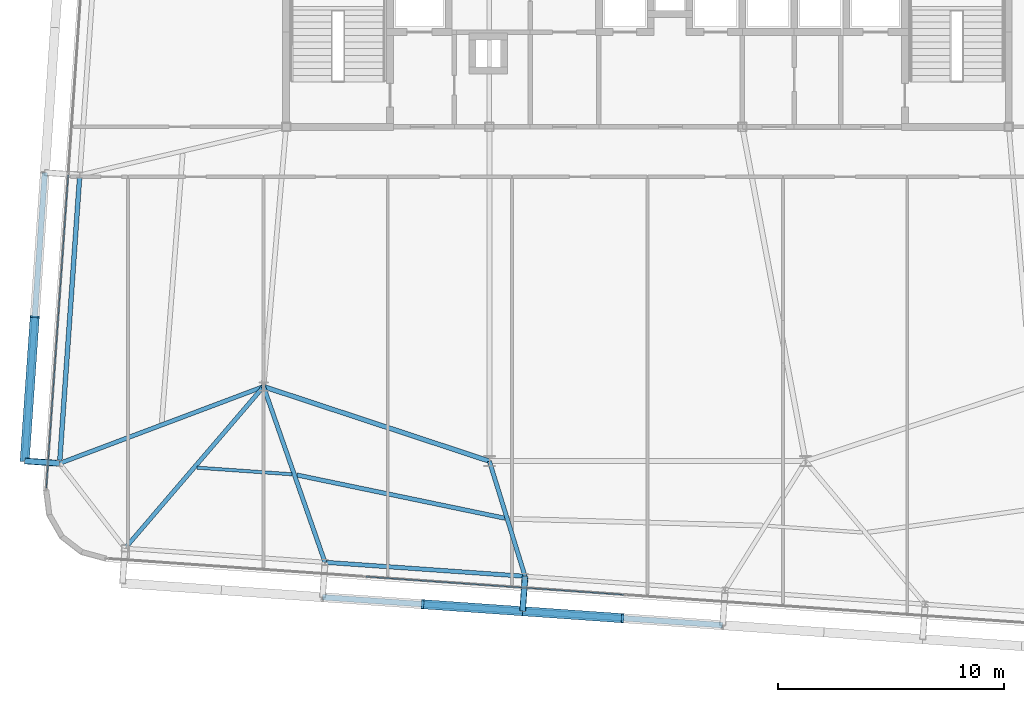
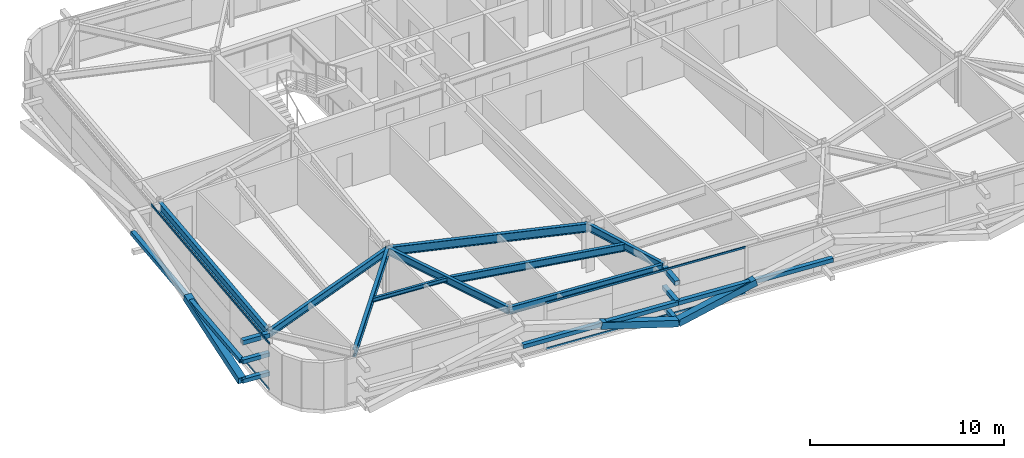
# One storey, part 8 of 39: 16 members, 9 beams, 2 elements without a shape of their own.
"""IFC4 building model written with IfcOpenShell, lengths in metres."""

from ifc_helpers import new_model, si_unit, direction, frame, origin, origin_2d, place, context, subcontext, project, spatial, hollow_rectangle, i_section, extrude, source, transform, mapped, material, layer, layer_set, material_profile, profile_set, type_object, element, aggregate, save


model = new_model("IFC4")

# Units and contexts
model_context = context("Model", 3, precision=1e-05, world=origin(), true_north=direction((0.0, 1.0)))
body_context = subcontext(model_context, "Body", "Model", "MODEL_VIEW")
ifc_project = project(units=[si_unit("LENGTHUNIT", "METRE"), si_unit("AREAUNIT", "SQUARE_METRE"), si_unit("VOLUMEUNIT", "CUBIC_METRE"), si_unit("PLANEANGLEUNIT", "RADIAN"), si_unit("MASSUNIT", "GRAM", prefix="KILO")], contexts=[model_context])

# Site, building, storey
site_placement = place(None, origin())
site = spatial("IfcSite", under=ifc_project, at=site_placement, CompositionType="ELEMENT")
building_placement = place(site_placement, origin())
building = spatial("IfcBuilding", under=site, at=building_placement, Name="Taldren Reach Tower", CompositionType="ELEMENT")
storey_placement = place(building_placement, frame((0.0, 0.0, 120.39990234375)))
storey = spatial("IfcBuildingStorey", under=building, at=storey_placement, Name="L36", CompositionType="ELEMENT", Elevation=120.39990234375)

# Beam
ifc_material_1 = material(Name="Steel Gr 350 (350PLUS)", Category="steel")
ifc_material_profile_1 = material_profile(ifc_material_1, i_section(OverallWidth=0.208984375, OverallDepth=0.532958984375, WebThickness=0.01025390625, FlangeThickness=0.015625, at=origin_2d()), Name="530UB92.4")
ifc_profile_set_1 = profile_set([ifc_material_profile_1], Name="Steel Gr 350 (350PLUS)")
beam_type_1 = type_object("IfcBeamType", Name="BM-UB530A", PredefinedType="BEAM", material=ifc_profile_set_1)
shared_shape_1 = source(origin(), body_context, "Body", "SweptSolid", [
    extrude(i_section(OverallWidth=0.208984375, OverallDepth=0.532958984375, WebThickness=0.01025390625, FlangeThickness=0.015625, at=origin_2d()), origin(), (0.0, 0.0, 1.0), 10.530517578125),
])
beam_1_placement = place(storey_placement, frame((18.0, 12.5, 2.66357421875), z_axis=(0.949627269203, -0.313381635689, 0.0), x_axis=(0.313381635689, 0.949627269203, 0.0)))
element("IfcBeam", 1, at=beam_1_placement, inside=storey, type_object=beam_type_1, Name="Core-spine girder L36-SP10", PredefinedType="BEAM", context=body_context, shape_type="MappedRepresentation", body=[
    mapped(shared_shape_1, transform((0.0, 0.0, 0.0), scale=1.0)),
])

# Members
ifc_material_2 = material(Name="Steel Gr 450 (C450L0)", Category="steel")
ifc_material_profile_2 = material_profile(ifc_material_2, hollow_rectangle(XDim=0.27490234375, YDim=0.27490234375, WallThickness=0.00927734375, at=origin_2d()), Name="275x275x9.3SHS")
ifc_profile_set_2 = profile_set([ifc_material_profile_2], Name="Steel Gr 450 (C450L0)")
member_type_1 = type_object("IfcMemberType", Name="MB-TIE273", PredefinedType="STRUT", material=ifc_profile_set_2)
shared_shape_2 = source(origin(), body_context, "Body", "SweptSolid", [
    extrude(hollow_rectangle(XDim=0.27490234375, YDim=0.27490234375, WallThickness=0.00927734375, at=origin_2d()), origin(), (0.0, 0.0, 1.0), 1.5498046875),
])
member_1_placement = place(storey_placement, frame((8.96875, 9.099609375, 2.650146484375), z_axis=(-0.997573320145, 0.069623781384, 0.0), x_axis=(-0.069623781384, -0.997573320145, 0.0)))
element("IfcMember", 2, at=member_1_placement, inside=storey, type_object=member_type_1, Name="Exoskeleton diaphragm tie strut B3-W1 L36", PredefinedType="STRUT", context=body_context, shape_type="MappedRepresentation", body=[
    mapped(shared_shape_2, transform((0.0, 0.0, 0.0), scale=1.0)),
])
ifc_material_3 = material(Name="Steel Gr 350 (C350L0)", Category="steel")
ifc_material_profile_3 = material_profile(ifc_material_3, hollow_rectangle(XDim=0.25, YDim=0.25, WallThickness=0.010009765625, at=origin_2d()), Name="250x250x10.0SHS")
ifc_profile_set_3 = profile_set([ifc_material_profile_3], Name="Steel Gr 350 (C350L0)")
member_type_2 = type_object("IfcMemberType", Name="MB-POST250", PredefinedType="POST", material=ifc_profile_set_3)
shared_shape_3 = source(origin(), body_context, "Body", "SweptSolid", [
    extrude(hollow_rectangle(XDim=0.25, YDim=0.25, WallThickness=0.010009765625, at=origin_2d()), origin(), (0.0, 0.0, 1.0), 1.5498046875),
])
for number, where, z_axis, x_axis, name in (
    (3, (8.96875, 9.099609375, 0.22021484375), (-0.997573320145, 0.069623781384, 0.0), (-0.069623781384, -0.997573320145, 0.0), "Exoskeleton base diaphragm tie strut B3-W1 L36"),
    (4, (8.96875, 9.099609375, 1.43505859375), (-0.997573320145, 0.069623781384, 0.0), (-0.069623781384, -0.997573320145, 0.0), "Exoskeleton mid-tier diaphragm tie B3-W1 L36"),
):
    element("IfcMember", number, at=place(storey_placement, frame(where, z_axis=z_axis, x_axis=x_axis)), inside=storey, type_object=member_type_2, Name=name, PredefinedType="POST", context=body_context, shape_type="MappedRepresentation", body=[
        mapped(shared_shape_3, transform((0.0, 0.0, 0.0), scale=1.0)),
    ])
shared_shape_4 = source(origin(), body_context, "Body", "SweptSolid", [
    extrude(hollow_rectangle(XDim=0.27490234375, YDim=0.27490234375, WallThickness=0.00927734375, at=origin_2d()), origin(), (0.0, 0.0, 1.0), 1.550048828125),
])
member_2_placement = place(storey_placement, frame((29.580322265625, 4.099609375, 2.650146484375), z_axis=(-0.06976957191, -0.99756313426, 0.0), x_axis=(0.99756313426, -0.06976957191, 0.0)))
element("IfcMember", 5, at=member_2_placement, inside=storey, type_object=member_type_1, Name="Exoskeleton diaphragm tie strut B3-S3 L36", PredefinedType="STRUT", context=body_context, shape_type="MappedRepresentation", body=[
    mapped(shared_shape_4, transform((0.0, 0.0, 0.0), scale=1.0)),
])
shared_shape_5 = source(origin(), body_context, "Body", "SweptSolid", [
    extrude(hollow_rectangle(XDim=0.25, YDim=0.25, WallThickness=0.010009765625, at=origin_2d()), origin(), (0.0, 0.0, 1.0), 1.550048828125),
])
for number, where, z_axis, x_axis, name in (
    (6, (29.580322265625, 4.099609375, 0.22021484375), (-0.06976957191, -0.99756313426, 0.0), (0.99756313426, -0.06976957191, 0.0), "Exoskeleton base diaphragm tie strut B3-S3 L36"),
    (7, (29.580322265625, 4.099609375, 1.43505859375), (-0.06976957191, -0.99756313426, 0.0), (0.99756313426, -0.06976957191, 0.0), "Exoskeleton mid-tier diaphragm tie B3-S3 L36"),
):
    element("IfcMember", number, at=place(storey_placement, frame(where, z_axis=z_axis, x_axis=x_axis)), inside=storey, type_object=member_type_2, Name=name, PredefinedType="POST", context=body_context, shape_type="MappedRepresentation", body=[
        mapped(shared_shape_5, transform((0.0, 0.0, 0.0), scale=1.0)),
    ])

# Beams
ifc_material_profile_4 = material_profile(ifc_material_1, i_section(OverallWidth=0.18994140625, OverallDepth=0.4541015625, WebThickness=0.008544921875, FlangeThickness=0.0126953125, at=origin_2d()), Name="460UB67.1")
ifc_profile_set_4 = profile_set([ifc_material_profile_4], Name="Steel Gr 350 (350PLUS)")
beam_type_2 = type_object("IfcBeamType", Name="SP-UB460B", PredefinedType="SPANDREL", material=ifc_profile_set_4)
shared_shape_6 = source(origin(), body_context, "Body", "SweptSolid", [
    extrude(i_section(OverallWidth=0.18994140625, OverallDepth=0.4541015625, WebThickness=0.008544921875, FlangeThickness=0.0126953125, at=origin_2d()), origin(), (0.0, 0.0, 1.0), 8.880126953125),
])
beam_2_placement = place(storey_placement, frame((20.721923828125, 4.718994140625, 2.703125), z_axis=(0.997564479639, -0.069750333063, 0.0), x_axis=(0.069750333063, 0.997564479639, 0.0)))
element("IfcBeam", 8, at=beam_2_placement, inside=storey, type_object=beam_type_2, Name="Perimeter spandrel B3 S2-S3 L36", PredefinedType="SPANDREL", context=body_context, shape_type="MappedRepresentation", body=[
    mapped(shared_shape_6, transform((0.0, 0.0, 0.0), scale=1.0)),
])
ifc_material_profile_5 = material_profile(ifc_material_1, i_section(OverallWidth=0.208984375, OverallDepth=0.528076171875, WebThickness=0.009521484375, FlangeThickness=0.01318359375, at=origin_2d()), Name="530UB82.0")
ifc_profile_set_5 = profile_set([ifc_material_profile_5], Name="Steel Gr 350 (350PLUS)")
beam_type_3 = type_object("IfcBeamType", Name="SP-UB530B", PredefinedType="SPANDREL", material=ifc_profile_set_5)
shared_shape_7 = source(origin(), body_context, "Body", "SweptSolid", [
    extrude(i_section(OverallWidth=0.208984375, OverallDepth=0.528076171875, WebThickness=0.009521484375, FlangeThickness=0.01318359375, at=origin_2d()), origin(), (0.0, 0.0, 1.0), 12.800048828125),
])
beam_3_placement = place(storey_placement, frame((9.86181640625, 21.868408203125, 2.666015625), z_axis=(-0.069770857464, -0.997563044348, 0.0), x_axis=(0.997563044348, -0.069770857464, 0.0)))
element("IfcBeam", 9, at=beam_3_placement, inside=storey, type_object=beam_type_3, Name="Perimeter spandrel B3 W2-W1 L36", PredefinedType="SPANDREL", context=body_context, shape_type="MappedRepresentation", body=[
    mapped(shared_shape_7, transform((0.0, 0.0, 0.0), scale=1.0)),
])
ifc_material_profile_6 = material_profile(ifc_material_1, i_section(OverallWidth=0.19091796875, OverallDepth=0.4599609375, WebThickness=0.010009765625, FlangeThickness=0.01611328125, at=origin_2d()), Name="460UB82.1")
ifc_profile_set_6 = profile_set([ifc_material_profile_6], Name="Steel Gr 350 (350PLUS)")
beam_type_4 = type_object("IfcBeamType", Name="BM-UB460A", PredefinedType="BEAM", material=ifc_profile_set_6)
shared_shape_8 = source(origin(), body_context, "Body", "SweptSolid", [
    extrude(i_section(OverallWidth=0.19091796875, OverallDepth=0.4599609375, WebThickness=0.010009765625, FlangeThickness=0.01611328125, at=origin_2d()), origin(), (0.0, 0.0, 1.0), 9.43115234375),
])
beam_4_placement = place(storey_placement, frame((18.0, 12.5, 2.7001953125), z_axis=(-0.650665584965, -0.759364402999, 0.0), x_axis=(0.759364402999, -0.650665584965, 0.0)))
element("IfcBeam", 10, at=beam_4_placement, inside=storey, type_object=beam_type_4, Name="Primary floor girder B3-S1 L36", PredefinedType="BEAM", context=body_context, shape_type="MappedRepresentation", body=[
    mapped(shared_shape_8, transform((0.0, 0.0, 0.0), scale=1.0)),
])
shared_shape_9 = source(origin(), body_context, "Body", "SweptSolid", [
    extrude(i_section(OverallWidth=0.19091796875, OverallDepth=0.4599609375, WebThickness=0.010009765625, FlangeThickness=0.01611328125, at=origin_2d()), origin(), (0.0, 0.0, 1.0), 8.243408203125),
])
beam_5_placement = place(storey_placement, frame((18.0, 12.5, 2.7001953125), z_axis=(0.330196070713, -0.943912366105, 0.0), x_axis=(0.943912366105, 0.330196070713, 0.0)))
element("IfcBeam", 11, at=beam_5_placement, inside=storey, type_object=beam_type_4, Name="Primary floor girder B3-S2 L36", PredefinedType="BEAM", context=body_context, shape_type="MappedRepresentation", body=[
    mapped(shared_shape_9, transform((0.0, 0.0, 0.0), scale=1.0)),
])
shared_shape_10 = source(origin(), body_context, "Body", "SweptSolid", [
    extrude(i_section(OverallWidth=0.19091796875, OverallDepth=0.4599609375, WebThickness=0.010009765625, FlangeThickness=0.01611328125, at=origin_2d()), origin(), (0.0, 0.0, 1.0), 5.339599609375),
])
beam_6_placement = place(storey_placement, frame((28.0, 9.199951171875, 2.7001953125), z_axis=(0.295964865482, -0.955198826632, 0.0), x_axis=(0.955198826632, 0.295964865482, 0.0)))
element("IfcBeam", 12, at=beam_6_placement, inside=storey, type_object=beam_type_4, Name="Primary floor girder B3-S3 L36", PredefinedType="BEAM", context=body_context, shape_type="MappedRepresentation", body=[
    mapped(shared_shape_10, transform((0.0, 0.0, 0.0), scale=1.0)),
])
shared_shape_11 = source(origin(), body_context, "Body", "SweptSolid", [
    extrude(i_section(OverallWidth=0.19091796875, OverallDepth=0.4599609375, WebThickness=0.010009765625, FlangeThickness=0.01611328125, at=origin_2d()), origin(), (0.0, 0.0, 1.0), 9.650146484375),
])
beam_7_placement = place(storey_placement, frame((18.0, 12.5, 2.7001953125), z_axis=(-0.935862573906, -0.352365212191, 0.0), x_axis=(0.352365212191, -0.935862573906, 0.0)))
element("IfcBeam", 13, at=beam_7_placement, inside=storey, type_object=beam_type_4, Name="Primary floor girder B3-W1 L36", PredefinedType="BEAM", context=body_context, shape_type="MappedRepresentation", body=[
    mapped(shared_shape_11, transform((0.0, 0.0, 0.0), scale=1.0)),
])
ifc_material_4 = material(Name="Steel Gr 300 (300PLUS, 300 MPa)", Category="steel")
ifc_material_profile_7 = material_profile(ifc_material_4, i_section(OverallWidth=0.14599609375, OverallDepth=0.256103515625, WebThickness=0.00634765625, FlangeThickness=0.010986328125, at=origin_2d()), Name="250UB37.3")
ifc_profile_set_7 = profile_set([ifc_material_profile_7], Name="Steel Gr 300 (300PLUS, 300 MPa)")
beam_type_5 = type_object("IfcBeamType", Name="JS-UB250", PredefinedType="JOIST", material=ifc_profile_set_7)
shared_shape_12 = source(origin(), body_context, "Body", "SweptSolid", [
    extrude(i_section(OverallWidth=0.14599609375, OverallDepth=0.256103515625, WebThickness=0.00634765625, FlangeThickness=0.010986328125, at=origin_2d()), origin(), (0.0, 0.0, 1.0), 4.217041015625),
])
beam_8_placement = place(storey_placement, frame((15.050537109375, 8.910888671875, 2.802001953125), z_axis=(0.997563683226, -0.069761722378, 0.0), x_axis=(0.069761722378, 0.997563683226, 0.0)))
element("IfcBeam", 14, at=beam_8_placement, inside=storey, type_object=beam_type_5, Name="Secondary floor joist B3 J1 L36", PredefinedType="JOIST", context=body_context, shape_type="MappedRepresentation", body=[
    mapped(shared_shape_12, transform((0.0, 0.0, 0.0), scale=1.0)),
])
shared_shape_13 = source(origin(), body_context, "Body", "SweptSolid", [
    extrude(i_section(OverallWidth=0.19091796875, OverallDepth=0.4599609375, WebThickness=0.010009765625, FlangeThickness=0.01611328125, at=origin_2d()), origin(), (0.0, 0.0, 1.0), 9.410400390625),
])
beam_9_placement = place(storey_placement, frame((19.469970703125, 8.5869140625, 2.7001953125), z_axis=(0.97907399109, -0.20350459447, 0.0), x_axis=(0.20350459447, 0.97907399109, 0.0)))
element("IfcBeam", 15, at=beam_9_placement, inside=storey, type_object=beam_type_4, Name="Secondary floor beam B3 J2 L36", PredefinedType="BEAM", context=body_context, shape_type="MappedRepresentation", body=[
    mapped(shared_shape_13, transform((0.0, 0.0, 0.0), scale=1.0)),
])

# Members
shared_shape_14 = source(origin(), body_context, "Body", "SweptSolid", [
    extrude(hollow_rectangle(XDim=0.25, YDim=0.25, WallThickness=0.010009765625, at=origin_2d()), origin(), (0.0, 0.0, 1.0), 8.880126953125),
])
for number, where, z_axis, x_axis, name in (
    (16, (20.61376953125, 3.1728515625, 1.43505859375), (0.997562566276, -0.06977769246, 0.0), (0.06977769246, 0.997562566276, 0.0), "Exoskeleton mid-height ring chord B3-S2 L36"),
    (17, (29.47216796875, 2.55322265625, 1.43505859375), (0.997564479639, -0.069750333063, 0.0), (0.069750333063, 0.997564479639, 0.0), "Exoskeleton mid-height ring chord B3-S3 L36"),
):
    element("IfcMember", number, at=place(storey_placement, frame(where, z_axis=z_axis, x_axis=x_axis)), inside=storey, type_object=member_type_2, Name=name, PredefinedType="POST", context=body_context, shape_type="MappedRepresentation", body=[
        mapped(shared_shape_14, transform((0.0, 0.0, 0.0), scale=1.0)),
    ])
shared_shape_15 = source(origin(), body_context, "Body", "SweptSolid", [
    extrude(hollow_rectangle(XDim=0.25, YDim=0.25, WallThickness=0.010009765625, at=origin_2d()), origin(), (0.0, 0.0, 1.0), 12.80029296875),
])
member_3_placement = place(storey_placement, frame((7.422607421875, 9.20751953125, 1.43505859375), z_axis=(0.069750549628, 0.997564464497, 0.0), x_axis=(-0.997564464497, 0.069750549628, 0.0)))
element("IfcMember", 18, at=member_3_placement, inside=storey, type_object=member_type_2, Name="Exoskeleton mid-height ring chord B3-W1 L36", PredefinedType="POST", context=body_context, shape_type="MappedRepresentation", body=[
    mapped(shared_shape_15, transform((0.0, 0.0, 0.0), scale=1.0)),
])
ifc_material_profile_8 = material_profile(ifc_material_2, hollow_rectangle(XDim=0.409912109375, YDim=0.409912109375, WallThickness=0.01611328125, at=origin_2d()), Name="410x410x16.0SHS")
ifc_profile_set_8 = profile_set([ifc_material_profile_8], Name="Steel Gr 450 (C450L0)")
member_type_3 = type_object("IfcMemberType", Name="MB-EXO406", PredefinedType="BRACE", material=ifc_profile_set_8)
shared_shape_16 = source(origin(), body_context, "Body", "SweptSolid", [
    extrude(hollow_rectangle(XDim=0.409912109375, YDim=0.409912109375, WallThickness=0.01611328125, at=origin_2d()), origin(), (0.0, 0.0, 1.0), 4.603271484375),
])
for number, where, z_axis, x_axis, name in (
    (19, (29.47216796875, 2.55322265625, 0.22021484375), (-0.962195820062, 0.067303852699, 0.263911718699), (-0.06977769246, -0.997562566276, 0.0), "Exoskeleton Diagrid Brace B3-S2 L36"),
    (20, (29.47216796875, 2.55322265625, 0.22021484375), (0.962199253371, -0.067251055742, 0.263912660389), (0.069722973508, 0.997566392259, 0.0), "Exoskeleton Diagrid Brace B3-S3 L36"),
):
    element("IfcMember", number, at=place(storey_placement, frame(where, z_axis=z_axis, x_axis=x_axis)), inside=storey, type_object=member_type_3, Name=name, PredefinedType="BRACE", context=body_context, shape_type="MappedRepresentation", body=[
        mapped(shared_shape_16, transform((0.0, 0.0, 0.0), scale=1.0)),
    ])
shared_shape_17 = source(origin(), body_context, "Body", "SweptSolid", [
    extrude(hollow_rectangle(XDim=0.409912109375, YDim=0.409912109375, WallThickness=0.01611328125, at=origin_2d()), origin(), (0.0, 0.0, 1.0), 6.514404296875),
])
member_4_placement = place(storey_placement, frame((7.422607421875, 9.20751953125, 0.22021484375), z_axis=(0.068545605936, 0.980063499638, 0.186486022492), x_axis=(-0.997563137195, 0.069769529958, 0.0)))
element("IfcMember", 21, at=member_4_placement, inside=storey, type_object=member_type_3, Name="Exoskeleton Diagrid Brace B3-W1 L36", PredefinedType="BRACE", context=body_context, shape_type="MappedRepresentation", body=[
    mapped(shared_shape_17, transform((0.0, 0.0, 0.0), scale=1.0)),
])

# Curtain wall, members
ifc_material_5 = material(Name="Aluminium and Low-E Glass Unitised System", Category="aluminium")
ifc_layer = layer(ifc_material_5, 0.159912109375)
ifc_layer_set = layer_set([ifc_layer], Name="Aluminium and Low-E Glass Unitised System")
curtain_wall_type = type_object("IfcCurtainWallType", Name="CW-SYS-4", PredefinedType="NOTDEFINED", material=ifc_layer_set)
curtain_wall_1_placement = place(storey_placement, origin())
curtain_wall_1 = element("IfcCurtainWall", 22, at=curtain_wall_1_placement, inside=storey, type_object=curtain_wall_type, Name="Unitised curtain wall CW-L36-S", PredefinedType="NOTDEFINED")
ifc_material_6 = material(Name="Anodised Aluminium 6063-T6", Category="aluminium")
ifc_material_profile_9 = material_profile(ifc_material_6, hollow_rectangle(XDim=0.054931640625, YDim=0.1201171875, WallThickness=0.0029296875, at=origin_2d()), Name="ALU-120x55x3RHS")
ifc_profile_set_9 = profile_set([ifc_material_profile_9], Name="Anodised Aluminium 6063-T6")
member_type_4 = type_object("IfcMemberType", Name="CW-TRN-135", PredefinedType="USERDEFINED", material=ifc_profile_set_9)
shared_shape_18 = source(origin(), body_context, "Body", "SweptSolid", [
    extrude(hollow_rectangle(XDim=0.054931640625, YDim=0.1201171875, WallThickness=0.0029296875, at=origin_2d()), origin(), (0.0, 0.0, 1.0), 11.429931640625),
])
member_5_placement = place(storey_placement, frame((22.536865234375, 4.080810546875, 0.027587890625), z_axis=(0.997563740938, -0.069760897114, 0.0), x_axis=(0.069760897114, 0.997563740938, 0.0)))
member_5 = element("IfcMember", 23, at=member_5_placement, type_object=member_type_4, Name="CW-4 transom 2.1", ObjectType="TRANSOM", PredefinedType="USERDEFINED", context=body_context, shape_type="MappedRepresentation", body=[
    mapped(shared_shape_18, transform((0.0, 0.0, 0.0), scale=1.0)),
])
member_6_placement = place(storey_placement, frame((22.536865234375, 4.080810546875, 2.902587890625), z_axis=(0.997563740938, -0.069760897114, 0.0), x_axis=(0.069760897114, 0.997563740938, 0.0)))
member_6 = element("IfcMember", 24, at=member_6_placement, type_object=member_type_4, Name="CW-4 transom 2.2", ObjectType="TRANSOM", PredefinedType="USERDEFINED", context=body_context, shape_type="MappedRepresentation", body=[
    mapped(shared_shape_18, transform((0.0, 0.0, 0.0), scale=1.0)),
])
aggregate(curtain_wall_1, [member_5, member_6])

curtain_wall_2_placement = place(storey_placement, origin())
curtain_wall_2 = element("IfcCurtainWall", 25, at=curtain_wall_2_placement, inside=storey, type_object=curtain_wall_type, Name="Unitised curtain wall CW-L36-W", PredefinedType="NOTDEFINED")
shared_shape_19 = source(origin(), body_context, "Body", "SweptSolid", [
    extrude(hollow_rectangle(XDim=0.054931640625, YDim=0.1201171875, WallThickness=0.0029296875, at=origin_2d()), origin(), (0.0, 0.0, 1.0), 13.89501953125),
])
member_7_placement = place(storey_placement, frame((9.3505859375, 21.868896484375, 0.027587890625), z_axis=(-0.069754817075, -0.997564166104, 0.0), x_axis=(0.997564166104, -0.069754817075, 0.0)))
member_7 = element("IfcMember", 26, at=member_7_placement, type_object=member_type_4, Name="CW-4 transom 2.1", ObjectType="TRANSOM", PredefinedType="USERDEFINED", context=body_context, shape_type="MappedRepresentation", body=[
    mapped(shared_shape_19, transform((0.0, 0.0, 0.0), scale=1.0)),
])
member_8_placement = place(storey_placement, frame((9.3505859375, 21.868896484375, 2.902587890625), z_axis=(-0.069754817075, -0.997564166104, 0.0), x_axis=(0.997564166104, -0.069754817075, 0.0)))
member_8 = element("IfcMember", 27, at=member_8_placement, type_object=member_type_4, Name="CW-4 transom 2.2", ObjectType="TRANSOM", PredefinedType="USERDEFINED", context=body_context, shape_type="MappedRepresentation", body=[
    mapped(shared_shape_19, transform((0.0, 0.0, 0.0), scale=1.0)),
])
aggregate(curtain_wall_2, [member_7, member_8])

save(model, "model.ifc")
